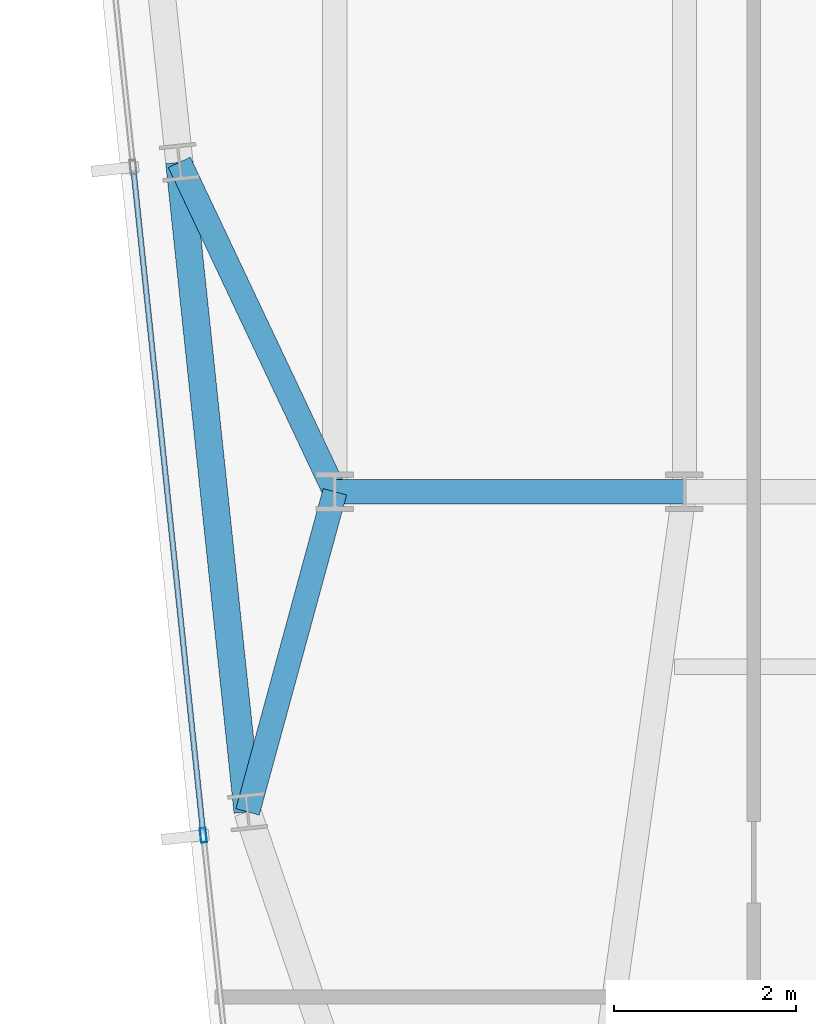
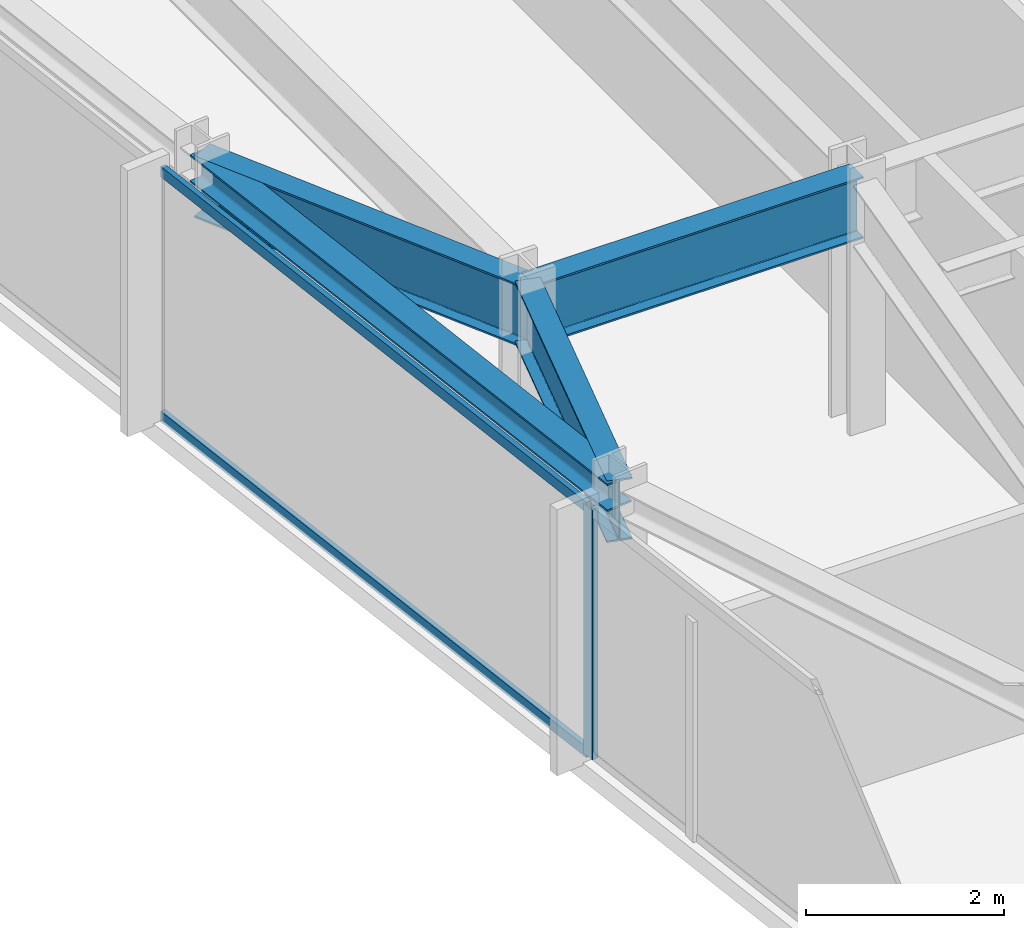
# One storey, part 5 of 32: 4 beams, 3 members, 1 element without a shape of its own.
"""IFC4 building model written with IfcOpenShell, lengths in metres."""

from ifc_helpers import new_model, si_unit, direction, frame, origin, origin_2d, place, context, subcontext, project, spatial, hollow_rectangle, i_section, extrude, material, material_profile, profile_set, type_object, element, aggregate, save


model = new_model("IFC4")

# Units and contexts
model_context = context("Model", 3, precision=1e-05, world=origin(), true_north=direction((0.0, 1.0)))
body_context = subcontext(model_context, "Body", "Model", "MODEL_VIEW")
ifc_project = project(units=[si_unit("LENGTHUNIT", "METRE"), si_unit("AREAUNIT", "SQUARE_METRE"), si_unit("VOLUMEUNIT", "CUBIC_METRE"), si_unit("PLANEANGLEUNIT", "RADIAN"), si_unit("MASSUNIT", "GRAM", prefix="KILO")], contexts=[model_context])

# Site, building, storey
site_placement = place(None, origin())
site = spatial("IfcSite", under=ifc_project, at=site_placement, CompositionType="ELEMENT")
building_placement = place(site_placement, origin())
building = spatial("IfcBuilding", under=site, at=building_placement, Name="Yelkora Congress Tower", CompositionType="ELEMENT")
storey_placement = place(building_placement, frame((0.0, 0.0, 211.10009765625)))
storey = spatial("IfcBuildingStorey", under=building, at=storey_placement, Name="L58", CompositionType="ELEMENT", Elevation=211.10009765625)

# Beams
ifc_material_1 = material(Name="Steel S355J2", Category="steel")
ifc_material_profile_1 = material_profile(ifc_material_1, i_section(OverallWidth=0.26708984375, OverallDepth=0.761962890625, WebThickness=0.014404296875, FlangeThickness=0.021484375, FilletRadius=0.01708984375, at=origin_2d()), Name="IPE 750x173")
ifc_profile_set_1 = profile_set([ifc_material_profile_1], Name="Steel S355J2")
beam_type_1 = type_object("IfcBeamType", Name="BM-GIRD-IPE750", PredefinedType="BEAM", material=ifc_profile_set_1)
beam_1_placement = place(storey_placement, frame((19.199951171875, 25.199951171875, 2.698974609375), z_axis=(1.0, 0.0, 0.0), x_axis=(0.0, 1.0, 0.0)))
element("IfcBeam", 1, at=beam_1_placement, inside=storey, type_object=beam_type_1, Name="L58 Spine Grid D Girder 1", PredefinedType="BEAM", context=body_context, shape_type="SweptSolid", body=[
    extrude(i_section(OverallWidth=0.26708984375, OverallDepth=0.761962890625, WebThickness=0.014404296875, FlangeThickness=0.021484375, FilletRadius=0.01708984375, at=origin_2d()), origin(), (0.0, 0.0, 1.0), 3.840087890625),
])
beam_2_placement = place(storey_placement, frame((18.2412109375, 21.68310546875, 2.698974609375), z_axis=(0.263015394472, 0.964791636713, 0.0), x_axis=(-0.964791636713, 0.263015394472, 0.0)))
element("IfcBeam", 2, at=beam_2_placement, inside=storey, type_object=beam_type_1, Name="L58 Primary Frame Girder W01", PredefinedType="BEAM", context=body_context, shape_type="SweptSolid", body=[
    extrude(i_section(OverallWidth=0.26708984375, OverallDepth=0.761962890625, WebThickness=0.014404296875, FlangeThickness=0.021484375, FilletRadius=0.01708984375, at=origin_2d()), origin(), (0.0, 0.0, 1.0), 3.645263671875),
])
beam_3_placement = place(storey_placement, frame((17.4912109375, 28.81884765625, 2.698974609375), z_axis=(0.426968894221, -0.904266312193, 0.0), x_axis=(0.904266312193, 0.426968894221, 0.0)))
element("IfcBeam", 3, at=beam_3_placement, inside=storey, type_object=beam_type_1, Name="L58 Primary Frame Girder W02", PredefinedType="BEAM", context=body_context, shape_type="SweptSolid", body=[
    extrude(i_section(OverallWidth=0.26708984375, OverallDepth=0.761962890625, WebThickness=0.014404296875, FlangeThickness=0.021484375, FilletRadius=0.01708984375, at=origin_2d()), origin(), (0.0, 0.0, 1.0), 4.001953125),
])
ifc_material_profile_2 = material_profile(ifc_material_1, i_section(OverallWidth=0.300048828125, OverallDepth=0.340087890625, WebThickness=0.011962890625, FlangeThickness=0.021484375, FilletRadius=0.027099609375, at=origin_2d()), Name="HEB 340")
ifc_profile_set_2 = profile_set([ifc_material_profile_2], Name="Steel S355J2")
beam_type_2 = type_object("IfcBeamType", Name="BM-SPAN-HEB340", PredefinedType="SPANDREL", material=ifc_profile_set_2)
beam_4_placement = place(storey_placement, frame((17.4912109375, 28.81884765625, 2.909912109375), z_axis=(0.104528914631, -0.994521847928, 0.0), x_axis=(0.994521847928, 0.104528914631, 0.0)))
element("IfcBeam", 4, at=beam_4_placement, inside=storey, type_object=beam_type_2, Name="L58 Perimeter Beam 1", PredefinedType="SPANDREL", context=body_context, shape_type="SweptSolid", body=[
    extrude(i_section(OverallWidth=0.300048828125, OverallDepth=0.340087890625, WebThickness=0.011962890625, FlangeThickness=0.021484375, FilletRadius=0.027099609375, at=origin_2d()), origin(), (0.0, 0.0, 1.0), 7.175048828125),
])

# Curtain wall, members
ifc_material_2 = material(Name="Anodised aluminium and insulated glass", Category="aluminium")
curtain_wall_type = type_object("IfcCurtainWallType", Name="CW-SYS-B4", PredefinedType="NOTDEFINED", material=ifc_material_2)
curtain_wall_placement = place(storey_placement, origin())
curtain_wall = element("IfcCurtainWall", 5, at=curtain_wall_placement, inside=storey, type_object=curtain_wall_type, Name="L58 Unitised Curtain Wall 5", PredefinedType="NOTDEFINED")
ifc_material_3 = material(Name="Anodised aluminium 6063-T6", Category="aluminium")
ifc_material_profile_3 = material_profile(ifc_material_3, hollow_rectangle(XDim=0.06494140625, YDim=0.159912109375, WallThickness=0.00390625, at=origin_2d()), Name="ALU 65x160x4")
ifc_profile_set_3 = profile_set([ifc_material_profile_3], Name="Anodised aluminium 6063-T6")
member_type_1 = type_object("IfcMemberType", Name="MEM-ML-B4", PredefinedType="MULLION", material=ifc_profile_set_3)
member_1_placement = place(storey_placement, frame((17.75537109375, 21.426025390625, 0.0), z_axis=(0.0, 0.0, 1.0), x_axis=(-0.994522145958, -0.104526079034, 0.0)))
member_1 = element("IfcMember", 6, at=member_1_placement, type_object=member_type_1, Name="CW-B4 mullion 2", PredefinedType="MULLION", context=body_context, shape_type="SweptSolid", body=[
    extrude(hollow_rectangle(XDim=0.06494140625, YDim=0.159912109375, WallThickness=0.00390625, at=origin_2d()), origin(), (0.0, 0.0, 1.0), 3.079833984375),
])
ifc_material_profile_4 = material_profile(ifc_material_3, hollow_rectangle(XDim=0.06005859375, YDim=0.1298828125, WallThickness=0.00390625, at=origin_2d()), Name="ALU 60x130x4")
ifc_profile_set_4 = profile_set([ifc_material_profile_4], Name="Anodised aluminium 6063-T6")
member_type_2 = type_object("IfcMemberType", Name="MEM-TR-B4", PredefinedType="USERDEFINED", material=ifc_profile_set_4)
member_2_placement = place(storey_placement, frame((17.751953125, 21.458251953125, 0.02978515625), z_axis=(-0.104528426736, 0.994521899208, 0.0), x_axis=(-0.994521899208, -0.104528426736, 0.0)))
member_2 = element("IfcMember", 7, at=member_2_placement, type_object=member_type_2, Name="CW-B4 transom 2.1", ObjectType="TRANSOM", PredefinedType="USERDEFINED", context=body_context, shape_type="SweptSolid", body=[
    extrude(hollow_rectangle(XDim=0.06005859375, YDim=0.1298828125, WallThickness=0.00390625, at=origin_2d()), origin(), (0.0, 0.0, 1.0), 7.315185546875),
])
member_3_placement = place(storey_placement, frame((17.751953125, 21.458251953125, 3.0498046875), z_axis=(-0.104528426736, 0.994521899208, 0.0), x_axis=(-0.994521899208, -0.104528426736, 0.0)))
member_3 = element("IfcMember", 8, at=member_3_placement, type_object=member_type_2, Name="CW-B4 transom 2.2", ObjectType="TRANSOM", PredefinedType="USERDEFINED", context=body_context, shape_type="SweptSolid", body=[
    extrude(hollow_rectangle(XDim=0.06005859375, YDim=0.1298828125, WallThickness=0.00390625, at=origin_2d()), origin(), (0.0, 0.0, 1.0), 7.315185546875),
])
aggregate(curtain_wall, [member_1, member_2, member_3])

save(model, "model.ifc")
